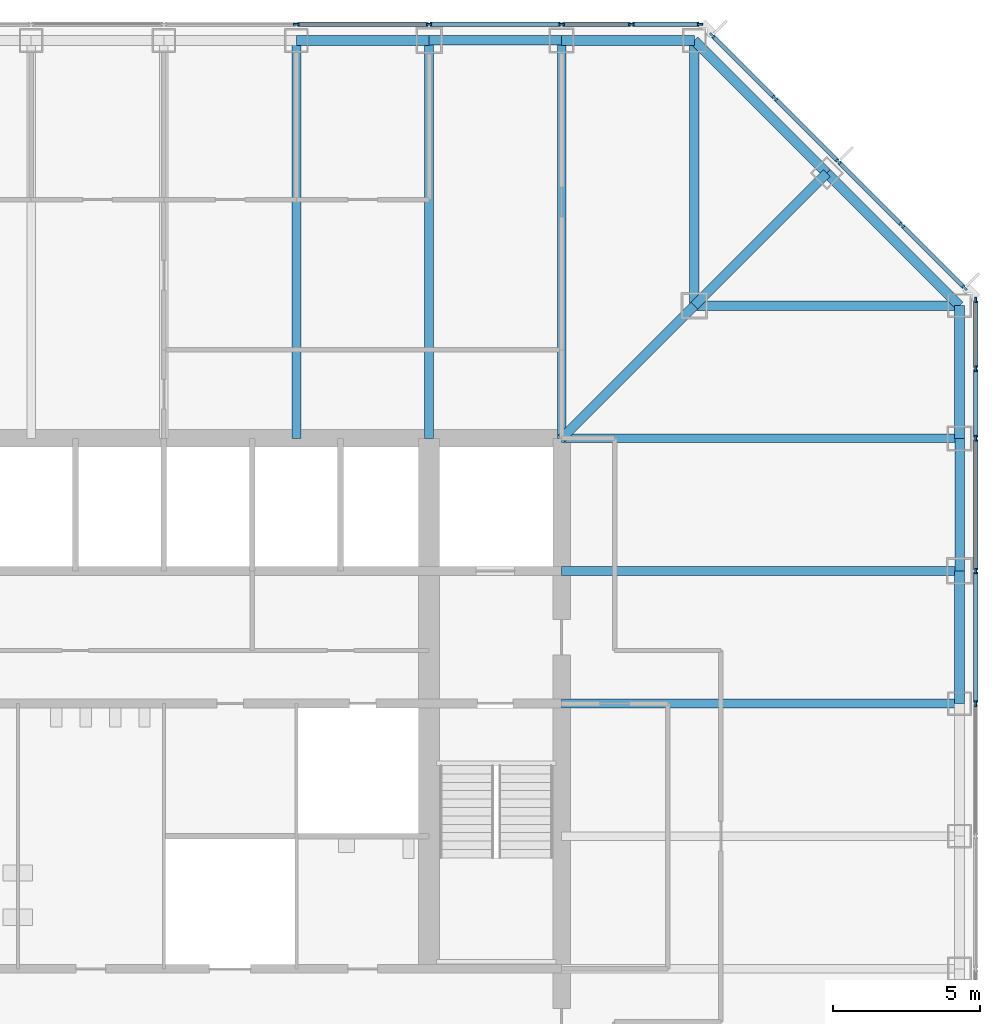
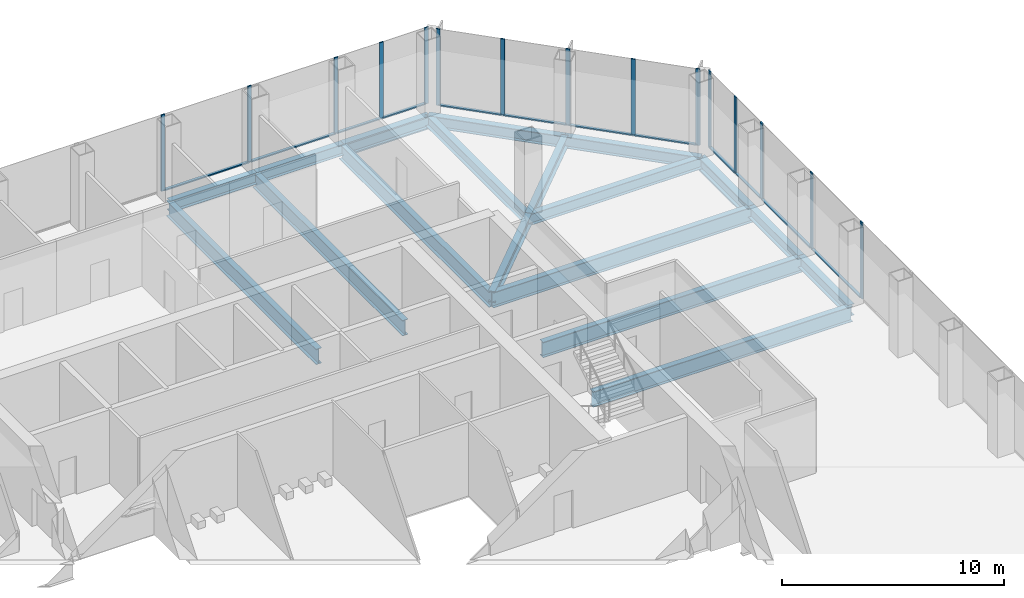
# One storey, part 6 of 13: 27 members, 18 beams, 3 elements without a shape of their own.
"""IFC4 building model written with IfcOpenShell, lengths in metres."""

from ifc_helpers import new_model, si_unit, direction, frame, origin, origin_2d, place, context, subcontext, project, spatial, rectangle, i_section, extrude, material, material_profile, profile_set, type_object, element, aggregate, save


model = new_model("IFC4")

# Units and contexts
model_context = context("Model", 3, precision=1e-05, world=origin(), true_north=direction((0.0, 1.0)))
body_context = subcontext(model_context, "Body", "Model", "MODEL_VIEW")
ifc_project = project(units=[si_unit("LENGTHUNIT", "METRE"), si_unit("AREAUNIT", "SQUARE_METRE"), si_unit("VOLUMEUNIT", "CUBIC_METRE"), si_unit("PLANEANGLEUNIT", "RADIAN"), si_unit("MASSUNIT", "GRAM", prefix="KILO")], contexts=[model_context])

# Site, building, storey
site_placement = place(None, origin())
site = spatial("IfcSite", under=ifc_project, at=site_placement, CompositionType="ELEMENT")
building_placement = place(site_placement, origin())
building = spatial("IfcBuilding", under=site, at=building_placement, Name="Corais Broadcast Tower", CompositionType="ELEMENT")
storey_placement = place(building_placement, frame((0.0, 0.0, 79.39990234375)))
storey = spatial("IfcBuildingStorey", under=building, at=storey_placement, Name="L17", CompositionType="ELEMENT", Elevation=79.39990234375)

# Beams
ifc_material_1 = material(Name="Steel ASTM A572 Grade 50", Category="steel")
ifc_material_profile_1 = material_profile(ifc_material_1, i_section(OverallWidth=0.323974609375, OverallDepth=0.611083984375, WebThickness=0.0126953125, FlangeThickness=0.01904296875, at=origin_2d()), Name="W610x155")
ifc_profile_set_1 = profile_set([ifc_material_profile_1], Name="Steel ASTM A572 Grade 50")
beam_type_1 = type_object("IfcBeamType", Name="Chamfer tie W610x155", PredefinedType="BEAM", material=ifc_profile_set_1)
beam_1_placement = place(storey_placement, frame((49.5, 49.5, -0.46533203125), z_axis=(-0.707106781187, -0.707106781187, 0.0), x_axis=(0.707106781187, -0.707106781187, 0.0)))
element("IfcBeam", 1, at=beam_1_placement, inside=storey, type_object=beam_type_1, Name="B5 M/14 to L/13", PredefinedType="BEAM", context=body_context, shape_type="SweptSolid", body=[
    extrude(i_section(OverallWidth=0.323974609375, OverallDepth=0.611083984375, WebThickness=0.0126953125, FlangeThickness=0.01904296875, at=origin_2d()), origin(), (0.0, 0.0, 1.0), 6.364013671875),
])
ifc_material_2 = material(Name="Steel ASTM A572 Grade 50", Category="steel")
ifc_material_profile_2 = material_profile(ifc_material_2, i_section(OverallWidth=0.323974609375, OverallDepth=0.611083984375, WebThickness=0.0126953125, FlangeThickness=0.01904296875, at=origin_2d()), Name="W610x155")
ifc_profile_set_2 = profile_set([ifc_material_profile_2], Name="Steel ASTM A572 Grade 50")
beam_type_2 = type_object("IfcBeamType", Name="Corner diagonal W610x155", PredefinedType="BEAM", material=ifc_profile_set_2)
beam_2_placement = place(storey_placement, frame((45.0, 45.0, -0.46533203125), z_axis=(-0.707106781187, -0.707106781187, 0.0), x_axis=(0.707106781187, -0.707106781187, 0.0)))
element("IfcBeam", 2, at=beam_2_placement, inside=storey, type_object=beam_type_2, Name="B6 L/13 to K/12", PredefinedType="BEAM", context=body_context, shape_type="SweptSolid", body=[
    extrude(i_section(OverallWidth=0.323974609375, OverallDepth=0.611083984375, WebThickness=0.0126953125, FlangeThickness=0.01904296875, at=origin_2d()), origin(), (0.0, 0.0, 1.0), 6.364013671875),
])
ifc_material_3 = material(Name="Steel ASTM A572 Grade 50", Category="steel")
ifc_material_profile_3 = material_profile(ifc_material_3, i_section(OverallWidth=0.323974609375, OverallDepth=0.611083984375, WebThickness=0.0126953125, FlangeThickness=0.01904296875, at=origin_2d()), Name="W610x155")
ifc_profile_set_3 = profile_set([ifc_material_profile_3], Name="Steel ASTM A572 Grade 50")
beam_type_3 = type_object("IfcBeamType", Name="Corner girder W610x155", PredefinedType="BEAM", material=ifc_profile_set_3)
for number, where, z_axis, x_axis, name in (
    (3, (45.0, 54.0, -0.46533203125), (0.0, -1.0, 0.0), (1.0, 0.0, 0.0), "B4 N/13 to L/13"),
    (4, (54.0, 45.0, -0.46533203125), (-1.0, 0.0, 0.0), (0.0, -1.0, 0.0), "B4 L/15 to L/13"),
):
    element("IfcBeam", number, at=place(storey_placement, frame(where, z_axis=z_axis, x_axis=x_axis)), inside=storey, type_object=beam_type_3, Name=name, PredefinedType="BEAM", context=body_context, shape_type="SweptSolid", body=[
        extrude(i_section(OverallWidth=0.323974609375, OverallDepth=0.611083984375, WebThickness=0.0126953125, FlangeThickness=0.01904296875, at=origin_2d()), origin(), (0.0, 0.0, 1.0), 9.0),
    ])
ifc_material_4 = material(Name="Steel ASTM A913 Grade 65", Category="steel")
ifc_material_profile_4 = material_profile(ifc_material_4, i_section(OverallWidth=0.347900390625, OverallDepth=0.7109375, WebThickness=0.03857421875, FlangeThickness=0.069091796875, at=origin_2d()), Name="W610x551")
ifc_profile_set_4 = profile_set([ifc_material_profile_4], Name="Steel ASTM A913 Grade 65")
beam_type_4 = type_object("IfcBeamType", Name="Corner spandrel W610x551", PredefinedType="BEAM", material=ifc_profile_set_4)
for number, where, z_axis, x_axis, name in (
    (5, (45.0, 54.0, -0.515380859375), (-1.0, 0.0, 0.0), (0.0, -1.0, 0.0), "SB11 N/13 to N/12"),
    (6, (54.0, 40.5, -0.515380859375), (0.0, 1.0, 0.0), (-1.0, 0.0, 0.0), "SB11 K/15 to L/15"),
):
    element("IfcBeam", number, at=place(storey_placement, frame(where, z_axis=z_axis, x_axis=x_axis)), inside=storey, type_object=beam_type_4, Name=name, PredefinedType="BEAM", context=body_context, shape_type="SweptSolid", body=[
        extrude(i_section(OverallWidth=0.347900390625, OverallDepth=0.7109375, WebThickness=0.03857421875, FlangeThickness=0.069091796875, at=origin_2d()), origin(), (0.0, 0.0, 1.0), 4.5),
    ])
ifc_material_5 = material(Name="Steel ASTM A572 Grade 50", Category="steel")
ifc_material_profile_5 = material_profile(ifc_material_5, i_section(OverallWidth=0.2939453125, OverallDepth=0.85107421875, WebThickness=0.01611328125, FlangeThickness=0.02685546875, at=origin_2d()), Name="W840x226")
ifc_profile_set_5 = profile_set([ifc_material_profile_5], Name="Steel ASTM A572 Grade 50")
beam_type_5 = type_object("IfcBeamType", Name="Floor beam W840x226", PredefinedType="BEAM", material=ifc_profile_set_5)
for number, where, z_axis, x_axis, name in (
    (7, (31.5, 54.0, -0.58544921875), (0.0, -1.0, 0.0), (1.0, 0.0, 0.0), "B1 N/10 to K/10"),
    (8, (36.0, 54.0, -0.58544921875), (0.0, -1.0, 0.0), (1.0, 0.0, 0.0), "B1 N/11 to K/11"),
    (9, (40.5, 54.0, -0.58544921875), (0.0, -1.0, 0.0), (1.0, 0.0, 0.0), "B1 N/12 to K/12"),
    (10, (54.0, 31.5, -0.58544921875), (-1.0, 0.0, 0.0), (0.0, -1.0, 0.0), "B1 H/15 to H/12"),
    (11, (54.0, 36.0, -0.58544921875), (-1.0, 0.0, 0.0), (0.0, -1.0, 0.0), "B1 J/15 to J/12"),
    (12, (54.0, 40.5, -0.58544921875), (-1.0, 0.0, 0.0), (0.0, -1.0, 0.0), "B1 K/15 to K/12"),
):
    element("IfcBeam", number, at=place(storey_placement, frame(where, z_axis=z_axis, x_axis=x_axis)), inside=storey, type_object=beam_type_5, Name=name, PredefinedType="BEAM", context=body_context, shape_type="SweptSolid", body=[
        extrude(i_section(OverallWidth=0.2939453125, OverallDepth=0.85107421875, WebThickness=0.01611328125, FlangeThickness=0.02685546875, at=origin_2d()), origin(), (0.0, 0.0, 1.0), 13.5),
    ])

# Curtain wall, members
ifc_material_6 = material(Name="Aluminium and glass", Category="aluminium")
curtain_wall_type = type_object("IfcCurtainWallType", Name="Unitised fritted curtain wall CW1", PredefinedType="NOTDEFINED", material=ifc_material_6)
curtain_wall_1_placement = place(storey_placement, origin())
curtain_wall_1 = element("IfcCurtainWall", 13, at=curtain_wall_1_placement, inside=storey, type_object=curtain_wall_type, Name="CW1 curtain wall L17 4", PredefinedType="NOTDEFINED")
ifc_material_7 = material(Name="Aluminium 6063-T6", Category="aluminium")
ifc_material_profile_6 = material_profile(ifc_material_7, rectangle(XDim=0.06494140625, YDim=0.199951171875, at=origin_2d()), Name="Mullion CW1 65x200")
ifc_profile_set_6 = profile_set([ifc_material_profile_6], Name="Aluminium 6063-T6")
member_type_1 = type_object("IfcMemberType", Name="Mullion CW1 65x200", PredefinedType="MULLION", material=ifc_profile_set_6)
member_1_placement = place(storey_placement, frame((31.5, 54.550048828125, 0.0), z_axis=(0.0, 0.0, 1.0), x_axis=(0.0, 1.0, 0.0)))
member_1 = element("IfcMember", 14, at=member_1_placement, type_object=member_type_1, Name="CW1 mullion 7", PredefinedType="MULLION", context=body_context, shape_type="SweptSolid", body=[
    extrude(rectangle(XDim=0.06494140625, YDim=0.199951171875, at=origin_2d()), origin(), (0.0, 0.0, 1.0), 4.2001953125),
])
member_2_placement = place(storey_placement, frame((36.0, 54.550048828125, 0.0), z_axis=(0.0, 0.0, 1.0), x_axis=(0.0, 1.0, 0.0)))
member_2 = element("IfcMember", 15, at=member_2_placement, type_object=member_type_1, Name="CW1 mullion 8", PredefinedType="MULLION", context=body_context, shape_type="SweptSolid", body=[
    extrude(rectangle(XDim=0.06494140625, YDim=0.199951171875, at=origin_2d()), origin(), (0.0, 0.0, 1.0), 4.2001953125),
])
member_3_placement = place(storey_placement, frame((40.5, 54.550048828125, 0.0), z_axis=(0.0, 0.0, 1.0), x_axis=(0.0, 1.0, 0.0)))
member_3 = element("IfcMember", 16, at=member_3_placement, type_object=member_type_1, Name="CW1 mullion 9", PredefinedType="MULLION", context=body_context, shape_type="SweptSolid", body=[
    extrude(rectangle(XDim=0.06494140625, YDim=0.199951171875, at=origin_2d()), origin(), (0.0, 0.0, 1.0), 4.2001953125),
])
member_4_placement = place(storey_placement, frame((42.864013671875, 54.550048828125, 0.0), z_axis=(0.0, 0.0, 1.0), x_axis=(0.0, 1.0, 0.0)))
member_4 = element("IfcMember", 17, at=member_4_placement, type_object=member_type_1, Name="CW1 mullion 10", PredefinedType="MULLION", context=body_context, shape_type="SweptSolid", body=[
    extrude(rectangle(XDim=0.06494140625, YDim=0.199951171875, at=origin_2d()), origin(), (0.0, 0.0, 1.0), 4.2001953125),
])
member_5_placement = place(storey_placement, frame((45.1953125, 54.550048828125, 0.0), z_axis=(0.0, 0.0, 1.0), x_axis=(0.0, 1.0, 0.0)))
member_5 = element("IfcMember", 18, at=member_5_placement, type_object=member_type_1, Name="CW1 mullion 11", PredefinedType="MULLION", context=body_context, shape_type="SweptSolid", body=[
    extrude(rectangle(XDim=0.06494140625, YDim=0.199951171875, at=origin_2d()), origin(), (0.0, 0.0, 1.0), 4.2001953125),
])

curtain_wall_2_placement = place(storey_placement, origin())
curtain_wall_2 = element("IfcCurtainWall", 19, at=curtain_wall_2_placement, inside=storey, type_object=curtain_wall_type, Name="CW1 curtain wall L17 5", PredefinedType="NOTDEFINED")
member_6_placement = place(storey_placement, frame((45.6044921875, 54.17333984375, 0.0), z_axis=(0.0, 0.0, 1.0), x_axis=(0.707106781187, 0.707106781187, 0.0)))
member_6 = element("IfcMember", 20, at=member_6_placement, type_object=member_type_1, Name="CW1 mullion 1", PredefinedType="MULLION", context=body_context, shape_type="SweptSolid", body=[
    extrude(rectangle(XDim=0.06494140625, YDim=0.199951171875, at=origin_2d()), origin(), (0.0, 0.0, 1.0), 4.2001953125),
])
member_7_placement = place(storey_placement, frame((47.735107421875, 52.042724609375, 0.0), z_axis=(0.0, 0.0, 1.0), x_axis=(0.707106781187, 0.707106781187, 0.0)))
member_7 = element("IfcMember", 21, at=member_7_placement, type_object=member_type_1, Name="CW1 mullion 2", PredefinedType="MULLION", context=body_context, shape_type="SweptSolid", body=[
    extrude(rectangle(XDim=0.06494140625, YDim=0.199951171875, at=origin_2d()), origin(), (0.0, 0.0, 1.0), 4.2001953125),
])
member_8_placement = place(storey_placement, frame((49.888916015625, 49.888916015625, 0.0), z_axis=(0.0, 0.0, 1.0), x_axis=(0.707106781187, 0.707106781187, 0.0)))
member_8 = element("IfcMember", 22, at=member_8_placement, type_object=member_type_1, Name="CW1 mullion 3", PredefinedType="MULLION", context=body_context, shape_type="SweptSolid", body=[
    extrude(rectangle(XDim=0.06494140625, YDim=0.199951171875, at=origin_2d()), origin(), (0.0, 0.0, 1.0), 4.2001953125),
])
member_9_placement = place(storey_placement, frame((52.042724609375, 47.735107421875, 0.0), z_axis=(0.0, 0.0, 1.0), x_axis=(0.707106781187, 0.707106781187, 0.0)))
member_9 = element("IfcMember", 23, at=member_9_placement, type_object=member_type_1, Name="CW1 mullion 4", PredefinedType="MULLION", context=body_context, shape_type="SweptSolid", body=[
    extrude(rectangle(XDim=0.06494140625, YDim=0.199951171875, at=origin_2d()), origin(), (0.0, 0.0, 1.0), 4.2001953125),
])
member_10_placement = place(storey_placement, frame((54.17333984375, 45.6044921875, 0.0), z_axis=(0.0, 0.0, 1.0), x_axis=(0.707106781187, 0.707106781187, 0.0)))
member_10 = element("IfcMember", 24, at=member_10_placement, type_object=member_type_1, Name="CW1 mullion 5", PredefinedType="MULLION", context=body_context, shape_type="SweptSolid", body=[
    extrude(rectangle(XDim=0.06494140625, YDim=0.199951171875, at=origin_2d()), origin(), (0.0, 0.0, 1.0), 4.2001953125),
])

curtain_wall_3_placement = place(storey_placement, origin())
curtain_wall_3 = element("IfcCurtainWall", 25, at=curtain_wall_3_placement, inside=storey, type_object=curtain_wall_type, Name="CW1 curtain wall L17 6", PredefinedType="NOTDEFINED")
member_11_placement = place(storey_placement, frame((54.550048828125, 45.1953125, 0.0), z_axis=(0.0, 0.0, 1.0), x_axis=(1.0, 0.0, 0.0)))
member_11 = element("IfcMember", 26, at=member_11_placement, type_object=member_type_1, Name="CW1 mullion 1", PredefinedType="MULLION", context=body_context, shape_type="SweptSolid", body=[
    extrude(rectangle(XDim=0.06494140625, YDim=0.199951171875, at=origin_2d()), origin(), (0.0, 0.0, 1.0), 4.2001953125),
])
member_12_placement = place(storey_placement, frame((54.550048828125, 42.864013671875, 0.0), z_axis=(0.0, 0.0, 1.0), x_axis=(1.0, 0.0, 0.0)))
member_12 = element("IfcMember", 27, at=member_12_placement, type_object=member_type_1, Name="CW1 mullion 2", PredefinedType="MULLION", context=body_context, shape_type="SweptSolid", body=[
    extrude(rectangle(XDim=0.06494140625, YDim=0.199951171875, at=origin_2d()), origin(), (0.0, 0.0, 1.0), 4.2001953125),
])
member_13_placement = place(storey_placement, frame((54.550048828125, 40.5, 0.0), z_axis=(0.0, 0.0, 1.0), x_axis=(1.0, 0.0, 0.0)))
member_13 = element("IfcMember", 28, at=member_13_placement, type_object=member_type_1, Name="CW1 mullion 3", PredefinedType="MULLION", context=body_context, shape_type="SweptSolid", body=[
    extrude(rectangle(XDim=0.06494140625, YDim=0.199951171875, at=origin_2d()), origin(), (0.0, 0.0, 1.0), 4.2001953125),
])
member_14_placement = place(storey_placement, frame((54.550048828125, 36.0, 0.0), z_axis=(0.0, 0.0, 1.0), x_axis=(1.0, 0.0, 0.0)))
member_14 = element("IfcMember", 29, at=member_14_placement, type_object=member_type_1, Name="CW1 mullion 4", PredefinedType="MULLION", context=body_context, shape_type="SweptSolid", body=[
    extrude(rectangle(XDim=0.06494140625, YDim=0.199951171875, at=origin_2d()), origin(), (0.0, 0.0, 1.0), 4.2001953125),
])
member_15_placement = place(storey_placement, frame((54.550048828125, 31.5, 0.0), z_axis=(0.0, 0.0, 1.0), x_axis=(1.0, 0.0, 0.0)))
member_15 = element("IfcMember", 30, at=member_15_placement, type_object=member_type_1, Name="CW1 mullion 5", PredefinedType="MULLION", context=body_context, shape_type="SweptSolid", body=[
    extrude(rectangle(XDim=0.06494140625, YDim=0.199951171875, at=origin_2d()), origin(), (0.0, 0.0, 1.0), 4.2001953125),
])

# Beams
ifc_material_8 = material(Name="Steel ASTM A572 Grade 50", Category="steel")
ifc_material_profile_7 = material_profile(ifc_material_8, i_section(OverallWidth=0.323974609375, OverallDepth=0.611083984375, WebThickness=0.0126953125, FlangeThickness=0.01904296875, at=origin_2d()), Name="W610x155")
ifc_profile_set_7 = profile_set([ifc_material_profile_7], Name="Steel ASTM A572 Grade 50")
beam_type_6 = type_object("IfcBeamType", Name="Pinned spandrel W610x155", PredefinedType="BEAM", material=ifc_profile_set_7)
for number, where, z_axis, x_axis, name in (
    (31, (40.5, 54.0, -0.46533203125), (-1.0, 0.0, 0.0), (0.0, -1.0, 0.0), "SB6 N/12 to N/11"),
    (32, (54.0, 36.0, -0.46533203125), (0.0, 1.0, 0.0), (-1.0, 0.0, 0.0), "SB6 J/15 to K/15"),
):
    element("IfcBeam", number, at=place(storey_placement, frame(where, z_axis=z_axis, x_axis=x_axis)), inside=storey, type_object=beam_type_6, Name=name, PredefinedType="BEAM", context=body_context, shape_type="SweptSolid", body=[
        extrude(i_section(OverallWidth=0.323974609375, OverallDepth=0.611083984375, WebThickness=0.0126953125, FlangeThickness=0.01904296875, at=origin_2d()), origin(), (0.0, 0.0, 1.0), 4.5),
    ])
ifc_material_9 = material(Name="Steel ASTM A572 Grade 50", Category="steel")
ifc_material_profile_8 = material_profile(ifc_material_9, i_section(OverallWidth=0.3291015625, OverallDepth=0.635009765625, WebThickness=0.017822265625, FlangeThickness=0.031005859375, at=origin_2d()), Name="W610x241")
ifc_profile_set_8 = profile_set([ifc_material_profile_8], Name="Steel ASTM A572 Grade 50")
beam_type_7 = type_object("IfcBeamType", Name="Spandrel W610x241", PredefinedType="BEAM", material=ifc_profile_set_8)
beam_3_placement = place(storey_placement, frame((36.0, 54.0, -0.477294921875), z_axis=(-1.0, 0.0, 0.0), x_axis=(0.0, -1.0, 0.0)))
element("IfcBeam", 33, at=beam_3_placement, inside=storey, type_object=beam_type_7, Name="SB1 N/11 to N/10", PredefinedType="BEAM", context=body_context, shape_type="SweptSolid", body=[
    extrude(i_section(OverallWidth=0.3291015625, OverallDepth=0.635009765625, WebThickness=0.017822265625, FlangeThickness=0.031005859375, at=origin_2d()), origin(), (0.0, 0.0, 1.0), 4.5),
])
beam_4_placement = place(storey_placement, frame((49.5, 49.5, -0.477294921875), z_axis=(-0.707106781187, 0.707106781187, 0.0), x_axis=(-0.707106781187, -0.707106781187, 0.0)))
element("IfcBeam", 34, at=beam_4_placement, inside=storey, type_object=beam_type_7, Name="SB1 M/14 to N/13", PredefinedType="BEAM", context=body_context, shape_type="SweptSolid", body=[
    extrude(i_section(OverallWidth=0.3291015625, OverallDepth=0.635009765625, WebThickness=0.017822265625, FlangeThickness=0.031005859375, at=origin_2d()), origin(), (0.0, 0.0, 1.0), 6.364013671875),
])
beam_5_placement = place(storey_placement, frame((54.0, 31.5, -0.477294921875), z_axis=(0.0, 1.0, 0.0), x_axis=(-1.0, 0.0, 0.0)))
element("IfcBeam", 35, at=beam_5_placement, inside=storey, type_object=beam_type_7, Name="SB1 H/15 to J/15", PredefinedType="BEAM", context=body_context, shape_type="SweptSolid", body=[
    extrude(i_section(OverallWidth=0.3291015625, OverallDepth=0.635009765625, WebThickness=0.017822265625, FlangeThickness=0.031005859375, at=origin_2d()), origin(), (0.0, 0.0, 1.0), 4.5),
])
beam_6_placement = place(storey_placement, frame((54.0, 45.0, -0.477294921875), z_axis=(-0.707106781187, 0.707106781187, 0.0), x_axis=(-0.707106781187, -0.707106781187, 0.0)))
element("IfcBeam", 36, at=beam_6_placement, inside=storey, type_object=beam_type_7, Name="SB1 L/15 to M/14", PredefinedType="BEAM", context=body_context, shape_type="SweptSolid", body=[
    extrude(i_section(OverallWidth=0.3291015625, OverallDepth=0.635009765625, WebThickness=0.017822265625, FlangeThickness=0.031005859375, at=origin_2d()), origin(), (0.0, 0.0, 1.0), 6.364013671875),
])

# Member
ifc_material_10 = material(Name="Aluminium 6063-T6", Category="aluminium")
ifc_material_profile_9 = material_profile(ifc_material_10, rectangle(XDim=0.139892578125, YDim=0.06494140625, at=origin_2d()), Name="Transom CW1 65x140")
ifc_profile_set_9 = profile_set([ifc_material_profile_9], Name="Aluminium 6063-T6")
member_type_2 = type_object("IfcMemberType", Name="Transom CW1 65x140", PredefinedType="USERDEFINED", material=ifc_profile_set_9)
member_16_placement = place(storey_placement, frame((31.532470703125, 54.550048828125, 0.03271484375), z_axis=(1.0, 0.0, 0.0), x_axis=(0.0, 1.0, 0.0)))
member_16 = element("IfcMember", 37, at=member_16_placement, type_object=member_type_2, Name="CW1 transom 7.1", ObjectType="TRANSOM", PredefinedType="USERDEFINED", context=body_context, shape_type="SweptSolid", body=[
    extrude(rectangle(XDim=0.139892578125, YDim=0.06494140625, at=origin_2d()), origin(), (0.0, 0.0, 1.0), 4.43505859375),
])

member_17_placement = place(storey_placement, frame((36.032470703125, 54.550048828125, 0.03271484375), z_axis=(1.0, 0.0, 0.0), x_axis=(0.0, 1.0, 0.0)))
member_17 = element("IfcMember", 38, at=member_17_placement, type_object=member_type_2, Name="CW1 transom 8.1", ObjectType="TRANSOM", PredefinedType="USERDEFINED", context=body_context, shape_type="SweptSolid", body=[
    extrude(rectangle(XDim=0.139892578125, YDim=0.06494140625, at=origin_2d()), origin(), (0.0, 0.0, 1.0), 4.43505859375),
])

member_18_placement = place(storey_placement, frame((40.532470703125, 54.550048828125, 0.03271484375), z_axis=(1.0, 0.0, 0.0), x_axis=(0.0, 1.0, 0.0)))
member_18 = element("IfcMember", 39, at=member_18_placement, type_object=member_type_2, Name="CW1 transom 9.1", ObjectType="TRANSOM", PredefinedType="USERDEFINED", context=body_context, shape_type="SweptSolid", body=[
    extrude(rectangle(XDim=0.139892578125, YDim=0.06494140625, at=origin_2d()), origin(), (0.0, 0.0, 1.0), 2.298828125),
])

member_19_placement = place(storey_placement, frame((42.896484375, 54.550048828125, 0.03271484375), z_axis=(1.0, 0.0, 0.0), x_axis=(0.0, 1.0, 0.0)))
member_19 = element("IfcMember", 40, at=member_19_placement, type_object=member_type_2, Name="CW1 transom 10.1", ObjectType="TRANSOM", PredefinedType="USERDEFINED", context=body_context, shape_type="SweptSolid", body=[
    extrude(rectangle(XDim=0.139892578125, YDim=0.06494140625, at=origin_2d()), origin(), (0.0, 0.0, 1.0), 2.266357421875),
])

aggregate(curtain_wall_1, [member_1, member_2, member_3, member_4, member_5, member_16, member_17, member_18, member_19])

member_20_placement = place(storey_placement, frame((45.62744140625, 54.150390625, 0.03271484375), z_axis=(0.707106781187, -0.707106781187, 0.0), x_axis=(0.707106781187, 0.707106781187, 0.0)))
member_20 = element("IfcMember", 41, at=member_20_placement, type_object=member_type_2, Name="CW1 transom 1.1", ObjectType="TRANSOM", PredefinedType="USERDEFINED", context=body_context, shape_type="SweptSolid", body=[
    extrude(rectangle(XDim=0.139892578125, YDim=0.06494140625, at=origin_2d()), origin(), (0.0, 0.0, 1.0), 2.9482421875),
])

member_21_placement = place(storey_placement, frame((47.758056640625, 52.019775390625, 0.03271484375), z_axis=(0.707106781187, -0.707106781187, 0.0), x_axis=(0.707106781187, 0.707106781187, 0.0)))
member_21 = element("IfcMember", 42, at=member_21_placement, type_object=member_type_2, Name="CW1 transom 2.1", ObjectType="TRANSOM", PredefinedType="USERDEFINED", context=body_context, shape_type="SweptSolid", body=[
    extrude(rectangle(XDim=0.139892578125, YDim=0.06494140625, at=origin_2d()), origin(), (0.0, 0.0, 1.0), 2.98095703125),
])

member_22_placement = place(storey_placement, frame((49.911865234375, 49.865966796875, 0.03271484375), z_axis=(0.707106781187, -0.707106781187, 0.0), x_axis=(0.707106781187, 0.707106781187, 0.0)))
member_22 = element("IfcMember", 43, at=member_22_placement, type_object=member_type_2, Name="CW1 transom 3.1", ObjectType="TRANSOM", PredefinedType="USERDEFINED", context=body_context, shape_type="SweptSolid", body=[
    extrude(rectangle(XDim=0.139892578125, YDim=0.06494140625, at=origin_2d()), origin(), (0.0, 0.0, 1.0), 2.98095703125),
])

member_23_placement = place(storey_placement, frame((52.065673828125, 47.712158203125, 0.03271484375), z_axis=(0.707106781187, -0.707106781187, 0.0), x_axis=(0.707106781187, 0.707106781187, 0.0)))
member_23 = element("IfcMember", 44, at=member_23_placement, type_object=member_type_2, Name="CW1 transom 4.1", ObjectType="TRANSOM", PredefinedType="USERDEFINED", context=body_context, shape_type="SweptSolid", body=[
    extrude(rectangle(XDim=0.139892578125, YDim=0.06494140625, at=origin_2d()), origin(), (0.0, 0.0, 1.0), 2.9482421875),
])

aggregate(curtain_wall_2, [member_6, member_7, member_8, member_9, member_10, member_20, member_21, member_22, member_23])

member_24_placement = place(storey_placement, frame((54.550048828125, 45.162841796875, 0.03271484375), z_axis=(0.0, -1.0, 0.0), x_axis=(1.0, 0.0, 0.0)))
member_24 = element("IfcMember", 45, at=member_24_placement, type_object=member_type_2, Name="CW1 transom 1.1", ObjectType="TRANSOM", PredefinedType="USERDEFINED", context=body_context, shape_type="SweptSolid", body=[
    extrude(rectangle(XDim=0.139892578125, YDim=0.06494140625, at=origin_2d()), origin(), (0.0, 0.0, 1.0), 2.266357421875),
])

member_25_placement = place(storey_placement, frame((54.550048828125, 42.831298828125, 0.03271484375), z_axis=(0.0, -1.0, 0.0), x_axis=(1.0, 0.0, 0.0)))
member_25 = element("IfcMember", 46, at=member_25_placement, type_object=member_type_2, Name="CW1 transom 2.1", ObjectType="TRANSOM", PredefinedType="USERDEFINED", context=body_context, shape_type="SweptSolid", body=[
    extrude(rectangle(XDim=0.139892578125, YDim=0.06494140625, at=origin_2d()), origin(), (0.0, 0.0, 1.0), 2.298828125),
])

member_26_placement = place(storey_placement, frame((54.550048828125, 40.467529296875, 0.03271484375), z_axis=(0.0, -1.0, 0.0), x_axis=(1.0, 0.0, 0.0)))
member_26 = element("IfcMember", 47, at=member_26_placement, type_object=member_type_2, Name="CW1 transom 3.1", ObjectType="TRANSOM", PredefinedType="USERDEFINED", context=body_context, shape_type="SweptSolid", body=[
    extrude(rectangle(XDim=0.139892578125, YDim=0.06494140625, at=origin_2d()), origin(), (0.0, 0.0, 1.0), 4.43505859375),
])

member_27_placement = place(storey_placement, frame((54.550048828125, 35.967529296875, 0.03271484375), z_axis=(0.0, -1.0, 0.0), x_axis=(1.0, 0.0, 0.0)))
member_27 = element("IfcMember", 48, at=member_27_placement, type_object=member_type_2, Name="CW1 transom 4.1", ObjectType="TRANSOM", PredefinedType="USERDEFINED", context=body_context, shape_type="SweptSolid", body=[
    extrude(rectangle(XDim=0.139892578125, YDim=0.06494140625, at=origin_2d()), origin(), (0.0, 0.0, 1.0), 4.43505859375),
])

aggregate(curtain_wall_3, [member_11, member_12, member_13, member_14, member_15, member_24, member_25, member_26, member_27])

save(model, "model.ifc")
